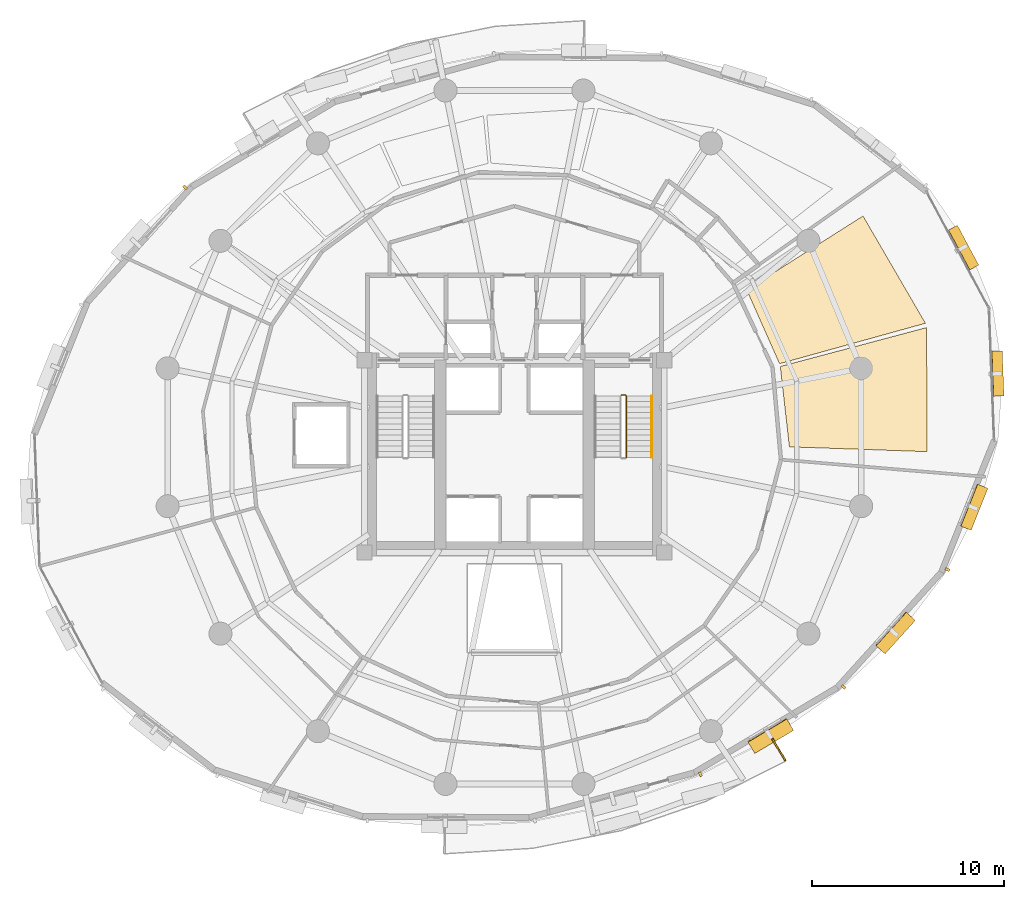
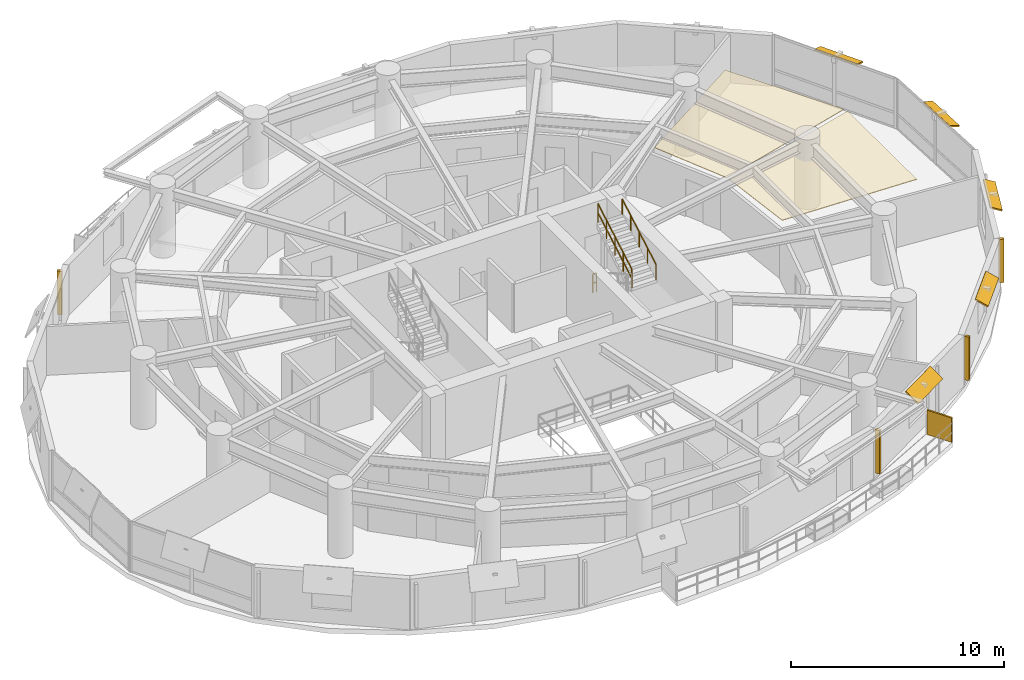
# One storey, part 14 of 15: 10 shading devices, 3 railings, 2 coverings.
"""IFC4 building model written with IfcOpenShell, lengths in metres."""

from ifc_helpers import new_model, si_unit, direction, frame, origin, origin_2d, place, context, subcontext, project, spatial, polyline, rectangle, outline, extrude, material, layer, layer_set, type_object, element, save


model = new_model("IFC4")

# Units and contexts
model_context = context("Model", 3, precision=1e-05, world=origin(), true_north=direction((0.0, 1.0)))
body_context = subcontext(model_context, "Body", "Model", "MODEL_VIEW")
ifc_project = project(units=[si_unit("LENGTHUNIT", "METRE"), si_unit("AREAUNIT", "SQUARE_METRE"), si_unit("VOLUMEUNIT", "CUBIC_METRE"), si_unit("PLANEANGLEUNIT", "RADIAN"), si_unit("MASSUNIT", "GRAM", prefix="KILO"), si_unit("THERMODYNAMICTEMPERATUREUNIT", "KELVIN"), si_unit("POWERUNIT", "WATT")], contexts=[model_context])

# Site, building, storey
site_placement = place(None, origin())
site = spatial("IfcSite", under=ifc_project, at=site_placement, CompositionType="ELEMENT")
building_placement = place(site_placement, origin())
building = spatial("IfcBuilding", under=site, at=building_placement, Name="Ocrelia Relay Tower", CompositionType="ELEMENT")
storey_placement = place(building_placement, frame((0.0, 0.0, 97.800048828125)))
storey = spatial("IfcBuildingStorey", under=building, at=storey_placement, Name="L22", CompositionType="ELEMENT", Elevation=97.800048828125)

# Coverings
ifc_material_1 = material(Name="Cleanroom metal-pan acoustic ceiling", Category="aluminium")
ifc_layer_1 = layer(ifc_material_1, 0.0400390625, Name="Cleanroom metal-pan acoustic ceiling")
ifc_layer_set_1 = layer_set([ifc_layer_1], Name="Cleanroom metal-pan acoustic ceiling")
covering_type = type_object("IfcCoveringType", Name="COV-CEIL-CLEAN", PredefinedType="CEILING", material=ifc_layer_set_1)
covering_1_placement = place(storey_placement, frame((0.0, 0.0, 2.719970703125)))
element("IfcCovering", 1, at=covering_1_placement, inside=storey, type_object=covering_type, Name="L22 Optical Telemetry Studio Suspended Ceiling 1", PredefinedType="CEILING", context=body_context, shape_type="SweptSolid", body=[
    extrude(outline(polyline([(48.311279296875, 25.500244140625), (55.477783203125, 25.25), (55.453369140625, 31.708251953125), (47.83837890625, 29.68212890625), (48.311279296875, 25.500244140625)])), origin(), (0.0, 0.0, 1.0), 0.0400390625),
])
covering_2_placement = place(storey_placement, frame((0.0, 0.0, 2.719970703125)))
element("IfcCovering", 2, at=covering_2_placement, inside=storey, type_object=covering_type, Name="L22 Optical Telemetry Studio Suspended Ceiling 2", PredefinedType="CEILING", context=body_context, shape_type="SweptSolid", body=[
    extrude(outline(polyline([(47.79931640625, 29.826904296875), (55.392333984375, 31.9326171875), (52.145263671875, 37.515380859375), (46.0908203125, 33.673095703125), (47.79931640625, 29.826904296875)])), origin(), (0.0, 0.0, 1.0), 0.0400390625),
])

# Railings
ifc_material_2 = material(Name="Steel S355 balustrade", Category="steel")
railing_type_1 = type_object("IfcRailingType", Name="RL-STAIR-GUARD", PredefinedType="GUARDRAIL", material=ifc_material_2)
railing_1_placement = place(storey_placement, frame((39.830078125, 24.9599609375, 2.16650390625)))
element("IfcRailing", 3, at=railing_1_placement, inside=storey, type_object=railing_type_1, Name="L22 ST2 stair guard 3", PredefinedType="GUARDRAIL", context=body_context, shape_type="SweptSolid", body=[
    extrude(rectangle(XDim=0.048095703125, YDim=0.048095703125, at=origin_2d()), frame((0.0, 0.0, 1.076171875), z_axis=(0.0, 0.86699087805, 0.498324008431), x_axis=(-1.0, 0.0, 0.0)), (0.0, 0.0, 1.0), 3.679443359375),
    extrude(rectangle(XDim=0.048095703125, YDim=0.048095703125, at=origin_2d()), frame((0.0, 0.0, 0.550048828125), z_axis=(0.0, 0.86699087805, 0.498324008431), x_axis=(-1.0, 0.0, 0.0)), (0.0, 0.0, 1.0), 3.679443359375),
    extrude(rectangle(XDim=0.0419921875, YDim=0.0419921875, at=origin_2d()), origin(), (0.0, 0.0, 1.0), 1.052001953125),
    extrude(rectangle(XDim=0.0419921875, YDim=0.0419921875, at=origin_2d()), frame((0.0, 0.79736328125, 0.45849609375)), (0.0, 0.0, 1.0), 1.052001953125),
    extrude(rectangle(XDim=0.0419921875, YDim=0.0419921875, at=origin_2d()), frame((0.0, 1.594970703125, 0.916748046875)), (0.0, 0.0, 1.0), 1.052001953125),
    extrude(rectangle(XDim=0.0419921875, YDim=0.0419921875, at=origin_2d()), frame((0.0, 2.392578125, 1.375)), (0.0, 0.0, 1.0), 1.052001953125),
    extrude(rectangle(XDim=0.0419921875, YDim=0.0419921875, at=origin_2d()), frame((0.0, 3.18994140625, 1.83349609375)), (0.0, 0.0, 1.0), 1.052001953125),
])
railing_2_placement = place(storey_placement, frame((39.580078125, 28.199951171875, 0.0)))
element("IfcRailing", 4, at=railing_2_placement, inside=storey, type_object=railing_type_1, Name="L22 ST2 stair guard 4", PredefinedType="GUARDRAIL", context=body_context, shape_type="SweptSolid", body=[
    extrude(rectangle(XDim=0.048095703125, YDim=0.048095703125, at=origin_2d()), frame((0.0, 0.0, 1.076171875), z_axis=(1.0, 0.0, 0.0), x_axis=(0.0, 1.0, 0.0)), (0.0, 0.0, 1.0), 0.199951171875),
    extrude(rectangle(XDim=0.048095703125, YDim=0.048095703125, at=origin_2d()), frame((0.0, 0.0, 0.550048828125), z_axis=(1.0, 0.0, 0.0), x_axis=(0.0, 1.0, 0.0)), (0.0, 0.0, 1.0), 0.199951171875),
    extrude(rectangle(XDim=0.0419921875, YDim=0.0419921875, at=origin_2d()), origin(), (0.0, 0.0, 1.0), 1.052001953125),
    extrude(rectangle(XDim=0.0419921875, YDim=0.0419921875, at=origin_2d()), frame((0.199951171875, 0.0, 0.0)), (0.0, 0.0, 1.0), 1.052001953125),
])
ifc_material_3 = material(Name="Steel S355 tubular handrail", Category="steel")
railing_type_2 = type_object("IfcRailingType", Name="RL-STAIR-HAND", PredefinedType="HANDRAIL", material=ifc_material_3)
railing_3_placement = place(storey_placement, frame((41.14990234375, 24.9599609375, 2.16650390625)))
element("IfcRailing", 5, at=railing_3_placement, inside=storey, type_object=railing_type_2, Name="L22 ST2 stair handrail 2", PredefinedType="HANDRAIL", context=body_context, shape_type="SweptSolid", body=[
    extrude(rectangle(XDim=0.048095703125, YDim=0.048095703125, at=origin_2d()), frame((0.0, 0.0, 0.8759765625), z_axis=(0.0, 0.86699087805, 0.498324008431), x_axis=(-1.0, 0.0, 0.0)), (0.0, 0.0, 1.0), 3.679443359375),
    extrude(rectangle(XDim=0.0419921875, YDim=0.0419921875, at=origin_2d()), origin(), (0.0, 0.0, 1.0), 0.851806640625),
    extrude(rectangle(XDim=0.0419921875, YDim=0.0419921875, at=origin_2d()), frame((0.0, 0.79736328125, 0.45849609375)), (0.0, 0.0, 1.0), 0.851806640625),
    extrude(rectangle(XDim=0.0419921875, YDim=0.0419921875, at=origin_2d()), frame((0.0, 1.594970703125, 0.916748046875)), (0.0, 0.0, 1.0), 0.851806640625),
    extrude(rectangle(XDim=0.0419921875, YDim=0.0419921875, at=origin_2d()), frame((0.0, 2.392578125, 1.375)), (0.0, 0.0, 1.0), 0.851806640625),
    extrude(rectangle(XDim=0.0419921875, YDim=0.0419921875, at=origin_2d()), frame((0.0, 3.18994140625, 1.83349609375)), (0.0, 0.0, 1.0), 0.851806640625),
])

# Shading devices
ifc_material_4 = material(Name="Perforated oxide terracotta solar screen", Category="masonry")
ifc_layer_2 = layer(ifc_material_4, 0.090087890625, Name="Perforated oxide terracotta solar screen")
ifc_layer_set_2 = layer_set([ifc_layer_2], Name="Perforated oxide terracotta solar screen")
shading_device_type_1 = type_object("IfcShadingDeviceType", Name="SH-BALC-SCREEN", PredefinedType="USERDEFINED", material=ifc_layer_set_2)
shading_device_1_placement = place(storey_placement, frame((47.7666015625, 9.734619140625, 0.0), z_axis=(0.0, 0.0, 1.0), x_axis=(0.512869675439, -0.858466479261, 0.0)))
element("IfcShadingDevice", 6, at=shading_device_1_placement, inside=storey, type_object=shading_device_type_1, Name="L22 Balcony Perforated Terracotta Screen B2-2", ObjectType="SCREEN", PredefinedType="USERDEFINED", context=body_context, shape_type="SweptSolid", body=[
    extrude(rectangle(XDim=1.340087890625, YDim=0.090087890625, at=origin_2d()), origin(), (0.0, 0.0, 1.0), 1.39990234375),
])
ifc_material_5 = material(Name="Extruded oxide terracotta vertical baguette", Category="masonry")
shading_device_type_2 = type_object("IfcShadingDeviceType", Name="SH-TERR-BAGUETTE", PredefinedType="USERDEFINED", material=ifc_material_5)
for number, where, z_axis, x_axis, name in (
    (7, (16.865966796875, 39.000244140625, 0.199951171875), (0.0, 0.0, 1.0), (-0.670192984966, -0.742186878692, 0.0), "L22 Oxide Terracotta Vertical Baguette 07"),
    (8, (43.674560546875, 8.4638671875, 0.199951171875), (0.0, 0.0, 1.0), (0.859219635369, 0.511606898113, 0.0), "L22 Oxide Terracotta Vertical Baguette 15"),
    (9, (51.134033203125, 12.999755859375, 0.199951171875), (0.0, 0.0, 1.0), (0.670192984966, 0.742186878692, 0.0), "L22 Oxide Terracotta Vertical Baguette 16"),
    (10, (56.530517578125, 19.12109375, 0.199951171875), (0.0, 0.0, 1.0), (0.371687223695, 0.928358017008, 0.0), "L22 Oxide Terracotta Vertical Baguette 17"),
):
    element("IfcShadingDevice", number, at=place(storey_placement, frame(where, z_axis=z_axis, x_axis=x_axis)), inside=storey, type_object=shading_device_type_2, Name=name, ObjectType="BAGUETTE", PredefinedType="USERDEFINED", context=body_context, shape_type="SweptSolid", body=[
        extrude(rectangle(XDim=0.139892578125, YDim=0.239990234375, at=origin_2d()), origin(), (0.0, 0.0, 1.0), 2.5),
    ])
ifc_material_6 = material(Name="Extruded oxide terracotta fin", Category="masonry")
ifc_layer_3 = layer(ifc_material_6, 0.080078125, Name="Extruded oxide terracotta fin")
ifc_layer_set_3 = layer_set([ifc_layer_3], Name="Extruded oxide terracotta fin")
shading_device_type_3 = type_object("IfcShadingDeviceType", Name="SH-VISOR-FIN-MED", PredefinedType="USERDEFINED", material=ifc_layer_set_3)
shading_device_2_placement = place(storey_placement, frame((47.322265625, 10.476806640625, 2.70751953125), z_axis=(0.297382342294, -0.499439606177, 0.813709912852), x_axis=(0.859219635369, 0.511606898113, 0.0)))
element("IfcShadingDevice", 11, at=shading_device_2_placement, inside=storey, type_object=shading_device_type_3, Name="L22 Canted Terracotta Sun-Visor Fin 15", ObjectType="FIN", PredefinedType="USERDEFINED", context=body_context, shape_type="SweptSolid", body=[
    extrude(rectangle(XDim=2.35009765625, YDim=0.842041015625, at=origin_2d()), origin(), (0.0, 0.0, 1.0), 0.080078125),
])
ifc_layer_4 = layer(ifc_material_6, 0.080078125, Name="Extruded oxide terracotta fin")
ifc_layer_set_4 = layer_set([ifc_layer_4], Name="Extruded oxide terracotta fin")
shading_device_type_4 = type_object("IfcShadingDeviceType", Name="SH-VISOR-FIN-SHAL", PredefinedType="USERDEFINED", material=ifc_layer_set_4)
shading_device_3_placement = place(storey_placement, frame((57.359130859375, 35.8603515625, 2.701904296875), z_axis=(0.272709841409, 0.146034651812, 0.950948591076), x_axis=(-0.472070936584, 0.881560565607, 0.0)))
element("IfcShadingDevice", 12, at=shading_device_3_placement, inside=storey, type_object=shading_device_type_4, Name="L22 Canted Terracotta Sun-Visor Fin 01", ObjectType="FIN", PredefinedType="USERDEFINED", context=body_context, shape_type="SweptSolid", body=[
    extrude(rectangle(XDim=2.35009765625, YDim=0.550048828125, at=origin_2d()), origin(), (0.0, 0.0, 1.0), 0.080078125),
])
shading_device_4_placement = place(storey_placement, frame((53.819580078125, 15.82861328125, 2.704345703125), z_axis=(0.340173444595, -0.307175810816, 0.888777277411), x_axis=(0.670192984966, 0.742186878692, 0.0)))
element("IfcShadingDevice", 13, at=shading_device_4_placement, inside=storey, type_object=shading_device_type_4, Name="L22 Canted Terracotta Sun-Visor Fin 16", ObjectType="FIN", PredefinedType="USERDEFINED", context=body_context, shape_type="SweptSolid", body=[
    extrude(rectangle(XDim=2.35009765625, YDim=0.705078125, at=origin_2d()), origin(), (0.0, 0.0, 1.0), 0.080078125),
])
shading_device_5_placement = place(storey_placement, frame((57.9150390625, 22.36669921875, 2.702880859375), z_axis=(0.348069474448, -0.139356772108, 0.927053035713), x_axis=(0.371687223695, 0.928358017008, 0.0)))
element("IfcShadingDevice", 14, at=shading_device_5_placement, inside=storey, type_object=shading_device_type_4, Name="L22 Canted Terracotta Sun-Visor Fin 17", ObjectType="FIN", PredefinedType="USERDEFINED", context=body_context, shape_type="SweptSolid", body=[
    extrude(rectangle(XDim=2.35009765625, YDim=0.616943359375, at=origin_2d()), origin(), (0.0, 0.0, 1.0), 0.080078125),
])
shading_device_6_placement = place(storey_placement, frame((59.141357421875, 29.31640625, 2.7021484375), z_axis=(0.327134643024, 0.012745011116, 0.944891787468), x_axis=(-0.038929993842, 0.999241940463, 0.0)))
element("IfcShadingDevice", 15, at=shading_device_6_placement, inside=storey, type_object=shading_device_type_4, Name="L22 Canted Terracotta Sun-Visor Fin 18", ObjectType="FIN", PredefinedType="USERDEFINED", context=body_context, shape_type="SweptSolid", body=[
    extrude(rectangle(XDim=2.35009765625, YDim=0.568115234375, at=origin_2d()), origin(), (0.0, 0.0, 1.0), 0.080078125),
])

save(model, "model.ifc")
